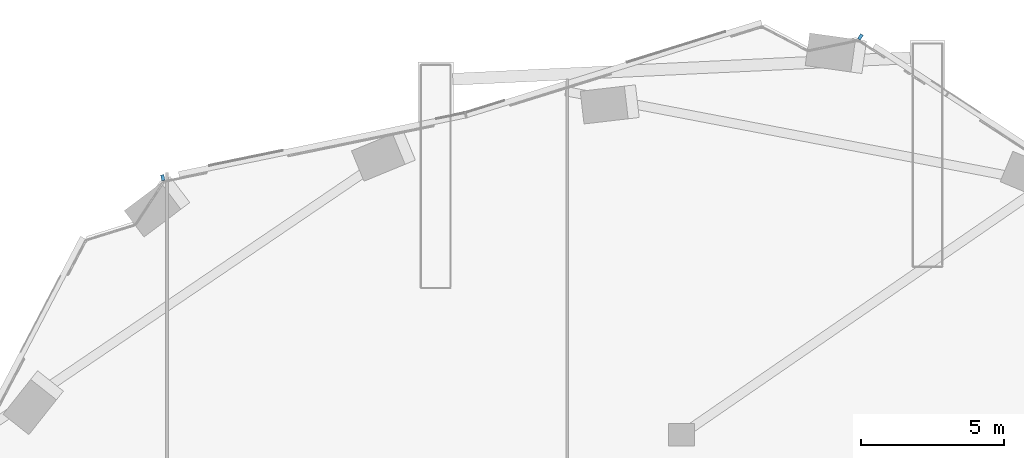
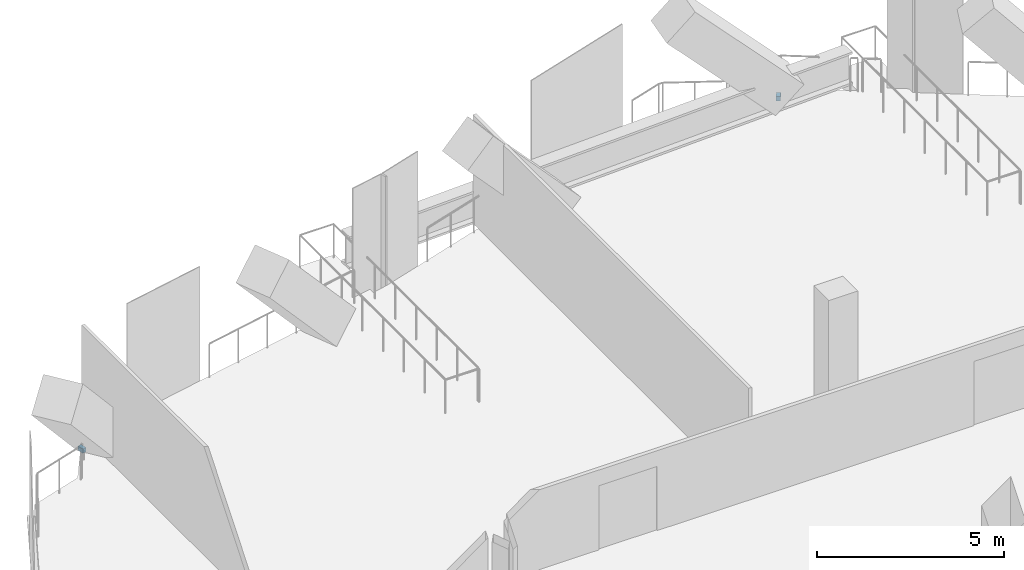
# One storey, part 13 of 26: 2 members, 2 elements without a shape of their own.
"""IFC4 building model written with IfcOpenShell, lengths in metres."""

from ifc_helpers import new_model, si_unit, direction, frame, origin, origin_2d, place, context, subcontext, project, spatial, rectangle, extrude, material, material_profile, profile_set, type_object, element, aggregate, save


model = new_model("IFC4")

# Units and contexts
model_context = context("Model", 3, precision=1e-05, world=origin(), true_north=direction((0.0, 1.0)))
body_context = subcontext(model_context, "Body", "Model", "MODEL_VIEW")
ifc_project = project(units=[si_unit("LENGTHUNIT", "METRE"), si_unit("AREAUNIT", "SQUARE_METRE"), si_unit("VOLUMEUNIT", "CUBIC_METRE"), si_unit("PLANEANGLEUNIT", "RADIAN"), si_unit("MASSUNIT", "GRAM", prefix="KILO")], contexts=[model_context])

# Site, building, storey
site_placement = place(None, origin())
site = spatial("IfcSite", under=ifc_project, at=site_placement, CompositionType="ELEMENT")
building_placement = place(site_placement, origin())
building = spatial("IfcBuilding", under=site, at=building_placement, Name="Orlundy Tower", CompositionType="ELEMENT")
storey_placement = place(building_placement, frame((0.0, 0.0, 249.5)))
storey = spatial("IfcBuildingStorey", under=building, at=storey_placement, Name="L66", CompositionType="ELEMENT", Elevation=249.5)

# Curtain wall, member
ifc_material_1 = material(Name="Aluminium bronze anodised", Category="aluminium")
curtain_wall_type = type_object("IfcCurtainWallType", Name="CW5 wall", PredefinedType="NOTDEFINED", material=ifc_material_1)
curtain_wall_1_placement = place(storey_placement, origin())
curtain_wall_1 = element("IfcCurtainWall", 1, at=curtain_wall_1_placement, inside=storey, type_object=curtain_wall_type, Name="CW5 run 010", PredefinedType="NOTDEFINED")
ifc_material_2 = material(Name="Aluminium bronze anodised", Category="aluminium")
ifc_material_profile = material_profile(ifc_material_2, rectangle(XDim=0.199951171875, YDim=0.139892578125, at=origin_2d()), Name="CW5 transom 200x140")
ifc_profile_set = profile_set([ifc_material_profile], Name="Aluminium bronze anodised")
member_type = type_object("IfcMemberType", Name="CW5 transom 200x140", PredefinedType="USERDEFINED", material=ifc_profile_set)
member_1_placement = place(storey_placement, frame((-18.19873046875, 26.976806640625, -0.35009765625), z_axis=(0.979260419507, 0.202605604036, 0.0), x_axis=(-0.202605604036, 0.979260419507, 0.0)))
member_1 = element("IfcMember", 2, at=member_1_placement, type_object=member_type, Name="CW5 transom", ObjectType="TRANSOM", PredefinedType="USERDEFINED", context=body_context, shape_type="SweptSolid", body=[
    extrude(rectangle(XDim=0.199951171875, YDim=0.139892578125, at=origin_2d()), origin(), (0.0, 0.0, 1.0), 0.11572265625),
])
aggregate(curtain_wall_1, [member_1])

curtain_wall_2_placement = place(storey_placement, origin())
curtain_wall_2 = element("IfcCurtainWall", 3, at=curtain_wall_2_placement, inside=storey, type_object=curtain_wall_type, Name="CW5 run 014", PredefinedType="NOTDEFINED")
member_2_placement = place(storey_placement, frame((6.206787109375, 31.9443359375, -0.35009765625), z_axis=(0.835897727251, -0.548885224411, 0.0), x_axis=(0.548885224411, 0.835897727251, 0.0)))
member_2 = element("IfcMember", 4, at=member_2_placement, type_object=member_type, Name="CW5 transom", ObjectType="TRANSOM", PredefinedType="USERDEFINED", context=body_context, shape_type="SweptSolid", body=[
    extrude(rectangle(XDim=0.199951171875, YDim=0.139892578125, at=origin_2d()), origin(), (0.0, 0.0, 1.0), 0.116455078125),
])
aggregate(curtain_wall_2, [member_2])

save(model, "model.ifc")
